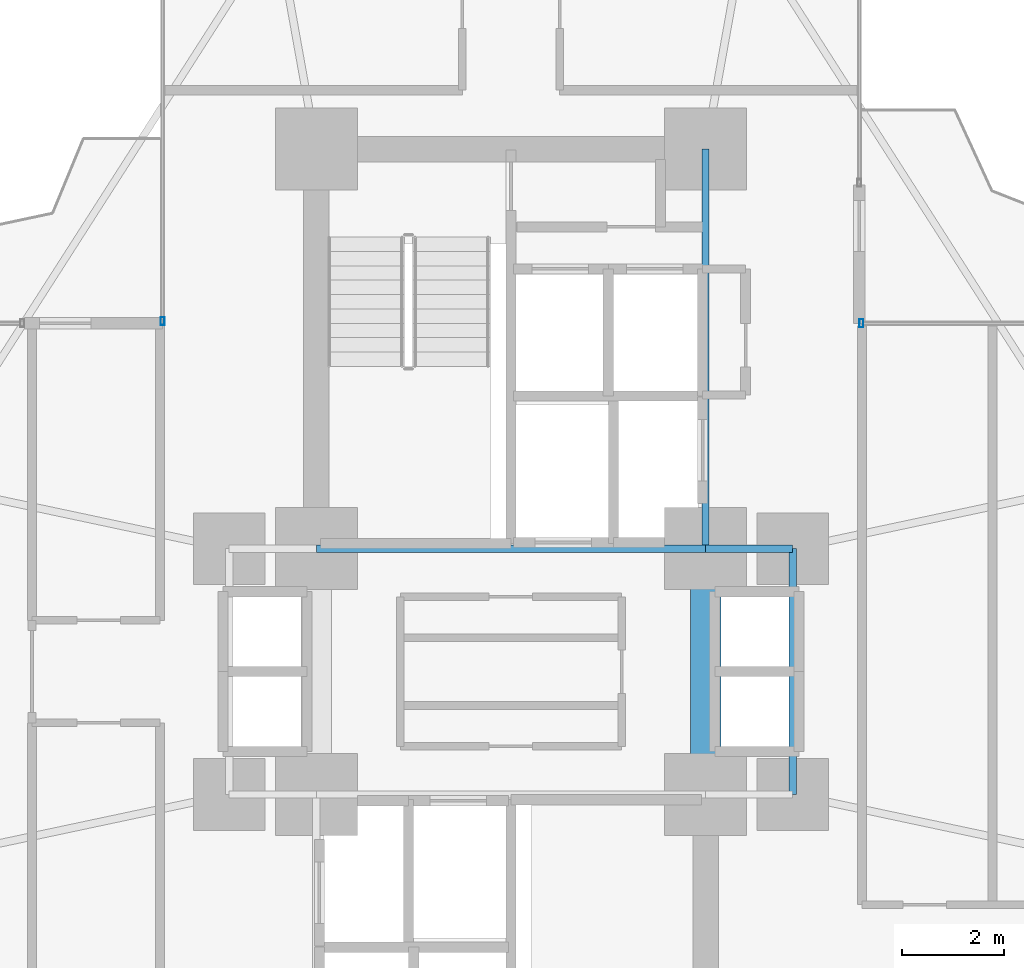
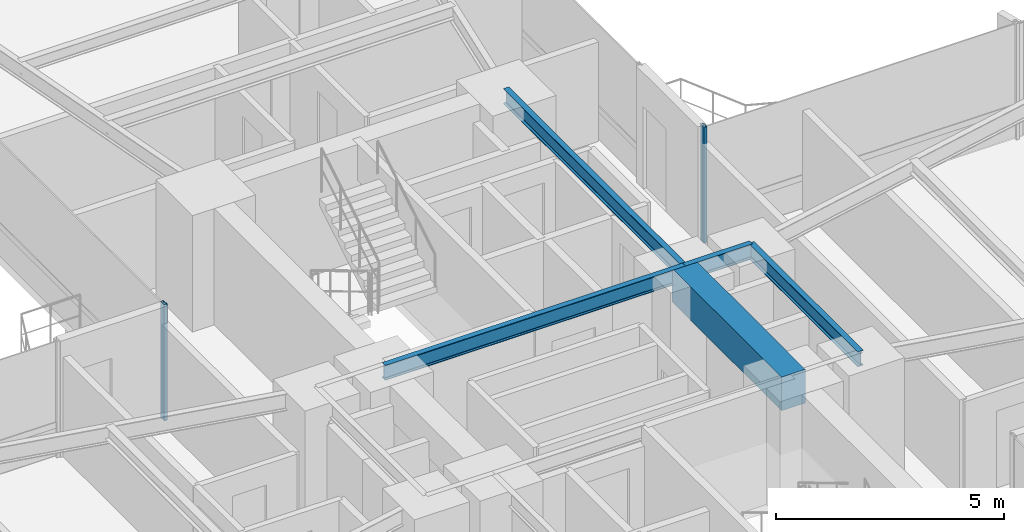
# One storey, part 12 of 25: 5 beams, 2 members, 2 elements without a shape of their own.
"""IFC4 building model written with IfcOpenShell, lengths in metres."""

from ifc_helpers import new_model, si_unit, direction, frame, origin, origin_2d, place, context, subcontext, project, spatial, rectangle, hollow_rectangle, i_section, extrude, source, transform, mapped, material, material_profile, profile_set, type_object, element, aggregate, save


model = new_model("IFC4")

# Units and contexts
model_context = context("Model", 3, precision=1e-05, world=origin(), true_north=direction((0.0, 1.0)))
body_context = subcontext(model_context, "Body", "Model", "MODEL_VIEW")
ifc_project = project(units=[si_unit("LENGTHUNIT", "METRE"), si_unit("AREAUNIT", "SQUARE_METRE"), si_unit("VOLUMEUNIT", "CUBIC_METRE"), si_unit("PLANEANGLEUNIT", "RADIAN"), si_unit("MASSUNIT", "GRAM", prefix="KILO")], contexts=[model_context])

# Site, building, storey
site_placement = place(None, origin())
site = spatial("IfcSite", under=ifc_project, at=site_placement, CompositionType="ELEMENT")
building_placement = place(site_placement, origin())
building = spatial("IfcBuilding", under=site, at=building_placement, Name="Sahyath Konkavel Grand Hotel", CompositionType="ELEMENT")
storey_placement = place(building_placement, frame((0.0, 0.0, 64.449951171875)))
storey = spatial("IfcBuildingStorey", under=building, at=storey_placement, Name="L17", CompositionType="ELEMENT", Elevation=64.449951171875)

# Beams
ifc_material_1 = material(Name="Concrete C70/85", Category="concrete")
ifc_material_profile_1 = material_profile(ifc_material_1, rectangle(XDim=0.60009765625, YDim=0.89990234375, at=origin_2d()), Name="RC 600x900")
ifc_profile_set_1 = profile_set([ifc_material_profile_1], Name="Concrete C70/85")
beam_type_1 = type_object("IfcBeamType", Name="BM-CB600x900", PredefinedType="LINTEL", material=ifc_profile_set_1)
shared_shape_1 = source(origin(), body_context, "Body", "SweptSolid", [
    extrude(rectangle(XDim=0.60009765625, YDim=0.89990234375, at=origin_2d()), origin(), (0.0, 0.0, 1.0), 4.7998046875),
])
beam_1_placement = place(storey_placement, frame((3.800048828125, -2.39990234375, 2.66015625), z_axis=(0.0, 1.0, 0.0), x_axis=(-1.0, 0.0, 0.0)))
element("IfcBeam", 1, at=beam_1_placement, inside=storey, type_object=beam_type_1, Name="L17 Split-Core Coupling Beam East", PredefinedType="LINTEL", context=body_context, shape_type="MappedRepresentation", body=[
    mapped(shared_shape_1, transform((0.0, 0.0, 0.0), scale=1.0)),
])
ifc_material_2 = material(Name="Steel E350", Category="steel")
ifc_material_profile_2 = material_profile(ifc_material_2, i_section(OverallWidth=0.139892578125, OverallDepth=0.39990234375, WebThickness=0.0087890625, FlangeThickness=0.01611328125, FilletRadius=0.013916015625, at=origin_2d()), Name="ISMB 400")
ifc_profile_set_2 = profile_set([ifc_material_profile_2], Name="Steel E350")
beam_type_2 = type_object("IfcBeamType", Name="BM-ISMB400", PredefinedType="BEAM", material=ifc_profile_set_2)
shared_shape_2 = source(origin(), body_context, "Body", "SweptSolid", [
    extrude(i_section(OverallWidth=0.139892578125, OverallDepth=0.39990234375, WebThickness=0.0087890625, FlangeThickness=0.01611328125, FilletRadius=0.013916015625, at=origin_2d()), origin(), (0.0, 0.0, 1.0), 7.60009765625),
])
beam_2_placement = place(storey_placement, frame((-3.800048828125, 2.39990234375, 2.91015625), z_axis=(1.0, 0.0, 0.0), x_axis=(0.0, 1.0, 0.0)))
element("IfcBeam", 2, at=beam_2_placement, inside=storey, type_object=beam_type_2, Name="str:bm:L17:NC-S", PredefinedType="BEAM", context=body_context, shape_type="MappedRepresentation", body=[
    mapped(shared_shape_2, transform((0.0, 0.0, 0.0), scale=1.0)),
])
shared_shape_3 = source(origin(), body_context, "Body", "SweptSolid", [
    extrude(i_section(OverallWidth=0.139892578125, OverallDepth=0.39990234375, WebThickness=0.0087890625, FlangeThickness=0.01611328125, FilletRadius=0.013916015625, at=origin_2d()), origin(), (0.0, 0.0, 1.0), 7.800048828125),
])
beam_3_placement = place(storey_placement, frame((3.800048828125, 2.39990234375, 2.91015625), z_axis=(0.0, 1.0, 0.0), x_axis=(-1.0, 0.0, 0.0)))
element("IfcBeam", 3, at=beam_3_placement, inside=storey, type_object=beam_type_2, Name="str:bm:L17:NC-E", PredefinedType="BEAM", context=body_context, shape_type="MappedRepresentation", body=[
    mapped(shared_shape_3, transform((0.0, 0.0, 0.0), scale=1.0)),
])
shared_shape_4 = source(origin(), body_context, "Body", "SweptSolid", [
    extrude(i_section(OverallWidth=0.139892578125, OverallDepth=0.39990234375, WebThickness=0.0087890625, FlangeThickness=0.01611328125, FilletRadius=0.013916015625, at=origin_2d()), origin(), (0.0, 0.0, 1.0), 1.699951171875),
])
beam_4_placement = place(storey_placement, frame((3.800048828125, 2.39990234375, 2.91015625), z_axis=(1.0, 0.0, 0.0), x_axis=(0.0, 1.0, 0.0)))
element("IfcBeam", 4, at=beam_4_placement, inside=storey, type_object=beam_type_2, Name="str:bm:L17:HB-NE", PredefinedType="BEAM", context=body_context, shape_type="MappedRepresentation", body=[
    mapped(shared_shape_4, transform((0.0, 0.0, 0.0), scale=1.0)),
])
shared_shape_5 = source(origin(), body_context, "Body", "SweptSolid", [
    extrude(i_section(OverallWidth=0.139892578125, OverallDepth=0.39990234375, WebThickness=0.0087890625, FlangeThickness=0.01611328125, FilletRadius=0.013916015625, at=origin_2d()), origin(), (0.0, 0.0, 1.0), 4.7998046875),
])
beam_5_placement = place(storey_placement, frame((5.5, -2.39990234375, 2.91015625), z_axis=(0.0, 1.0, 0.0), x_axis=(-1.0, 0.0, 0.0)))
element("IfcBeam", 5, at=beam_5_placement, inside=storey, type_object=beam_type_2, Name="str:bm:L17:HB-E", PredefinedType="BEAM", context=body_context, shape_type="MappedRepresentation", body=[
    mapped(shared_shape_5, transform((0.0, 0.0, 0.0), scale=1.0)),
])

# Curtain wall, member
ifc_material_3 = material(Name="Anodised Bronze Aluminium & Low-E Glazing", Category="aluminium")
curtain_wall_type = type_object("IfcCurtainWallType", Name="CW-ZONE1", PredefinedType="NOTDEFINED", material=ifc_material_3)
curtain_wall_1_placement = place(storey_placement, origin())
curtain_wall_1 = element("IfcCurtainWall", 6, at=curtain_wall_1_placement, inside=storey, type_object=curtain_wall_type, Name="L17 Unitised Curtain Wall F7", PredefinedType="NOTDEFINED")
ifc_material_4 = material(Name="Anodised Bronze Aluminium", Category="aluminium")
ifc_material_profile_3 = material_profile(ifc_material_4, hollow_rectangle(XDim=0.080078125, YDim=0.159912109375, WallThickness=0.006103515625, at=origin_2d()), Name="RHS 160x80x6")
ifc_profile_set_3 = profile_set([ifc_material_profile_3], Name="Anodised Bronze Aluminium")
member_type = type_object("IfcMemberType", Name="CW-MUL-160", PredefinedType="MULLION", material=ifc_profile_set_3)
shared_shape_6 = source(origin(), body_context, "Body", "SweptSolid", [
    extrude(hollow_rectangle(XDim=0.080078125, YDim=0.159912109375, WallThickness=0.006103515625, at=origin_2d()), origin(), (0.0, 0.0, 1.0), 3.110107421875),
])
member_1_placement = place(storey_placement, frame((6.840087890625, 6.800048828125, 0.0), z_axis=(0.0, 0.0, 1.0), x_axis=(1.0, 0.0, 0.0)))
member_1 = element("IfcMember", 7, at=member_1_placement, type_object=member_type, Name="L17 Curtain Wall Mullion F7-2", PredefinedType="MULLION", context=body_context, shape_type="MappedRepresentation", body=[
    mapped(shared_shape_6, transform((0.0, 0.0, 0.0), scale=1.0)),
])
aggregate(curtain_wall_1, [member_1])

curtain_wall_2_placement = place(storey_placement, origin())
curtain_wall_2 = element("IfcCurtainWall", 8, at=curtain_wall_2_placement, inside=storey, type_object=curtain_wall_type, Name="L17 Unitised Curtain Wall F15", PredefinedType="NOTDEFINED")
member_2_placement = place(storey_placement, frame((-6.800048828125, 6.840087890625, 0.0), z_axis=(0.0, 0.0, 1.0), x_axis=(1.0, 0.0, 0.0)))
member_2 = element("IfcMember", 9, at=member_2_placement, type_object=member_type, Name="L17 Curtain Wall Mullion F15-2", PredefinedType="MULLION", context=body_context, shape_type="MappedRepresentation", body=[
    mapped(shared_shape_6, transform((0.0, 0.0, 0.0), scale=1.0)),
])
aggregate(curtain_wall_2, [member_2])

save(model, "model.ifc")
